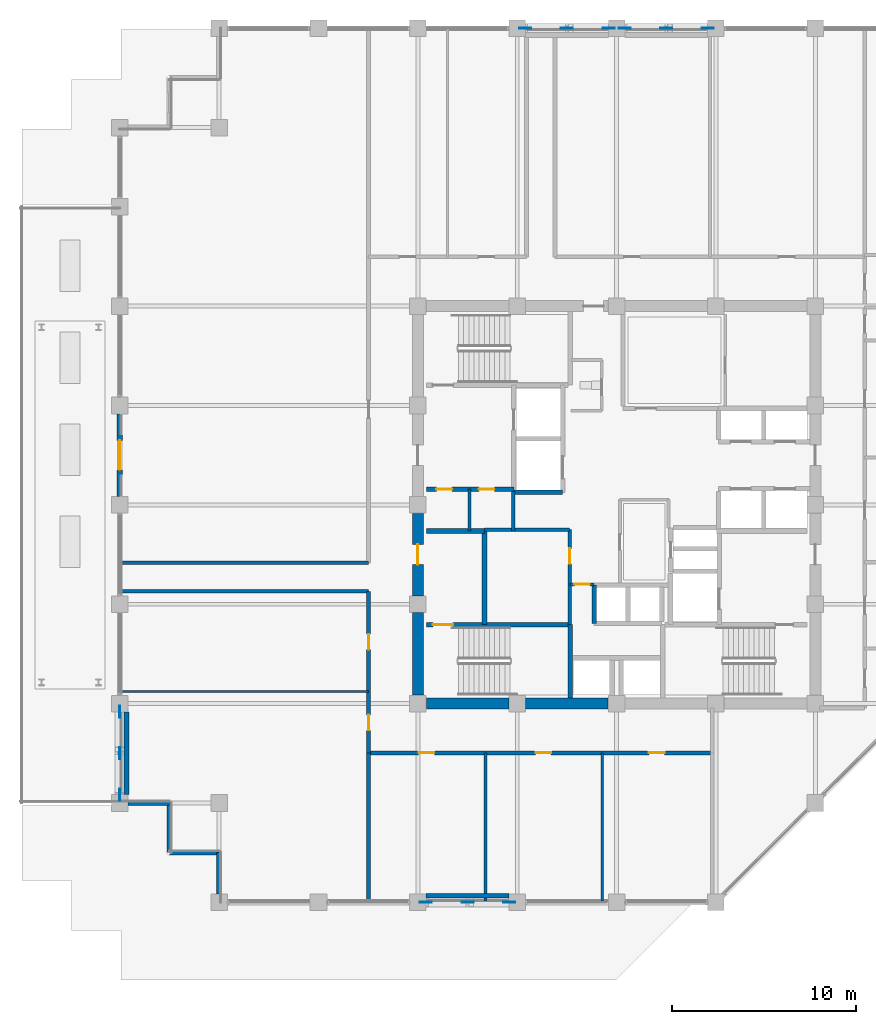
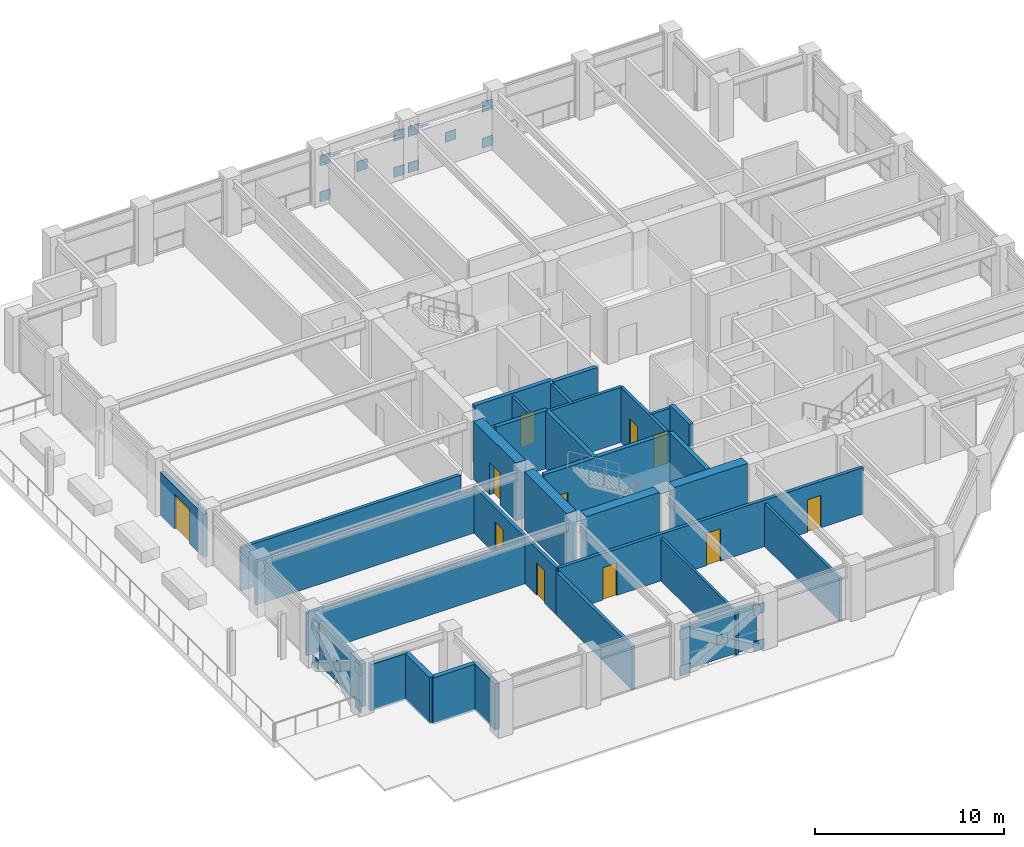
# One storey, part 25 of 36: 31 walls, 20 plates, 12 doors, 12 openings.
"""IFC4 building model written with IfcOpenShell, lengths in metres."""

from ifc_helpers import new_model, si_unit, direction, frame, frame_2d, origin, origin_2d, place, context, subcontext, project, spatial, rectangle, extrude, material, layer, layer_set, type_object, element, fill, save


model = new_model("IFC4")

# Units and contexts
model_context = context("Model", 3, precision=1e-05, world=origin(), true_north=direction((0.0, 1.0)))
body_context = subcontext(model_context, "Body", "Model", "MODEL_VIEW")
ifc_project = project(units=[si_unit("LENGTHUNIT", "METRE"), si_unit("AREAUNIT", "SQUARE_METRE"), si_unit("VOLUMEUNIT", "CUBIC_METRE"), si_unit("PLANEANGLEUNIT", "RADIAN"), si_unit("MASSUNIT", "GRAM", prefix="KILO")], contexts=[model_context])

# Site, building, storey
site_placement = place(None, origin())
site = spatial("IfcSite", under=ifc_project, at=site_placement, CompositionType="ELEMENT")
building_placement = place(site_placement, origin())
building = spatial("IfcBuilding", under=site, at=building_placement, Name="Surkhivell Harbour Commons", CompositionType="ELEMENT")
storey_placement = place(building_placement, frame((0.0, 0.0, 171.0)))
storey = spatial("IfcBuildingStorey", under=building, at=storey_placement, Name="L44", CompositionType="ELEMENT", Elevation=171.0)

# Plates
ifc_material_1 = material(Name="Steel S460", Category="steel")
ifc_layer_1 = layer(ifc_material_1, 0.044921875)
ifc_layer_set_1 = layer_set([ifc_layer_1], Name="Steel S460")
plate_type = type_object("IfcPlateType", Name="PLT-GUS-650", PredefinedType="USERDEFINED", material=ifc_layer_set_1)
for number, where, z_axis, x_axis, name in (
    (1, (-4.965087890625, 25.89990234375, -0.08935546875), (0.0, 0.0, 1.0), (1.0, 0.0, 0.0), "L44 Perimeter Mega-Brace MB- Corner Gusset N-1"),
    (2, (-0.43505859375, 25.89990234375, -0.08935546875), (0.0, 0.0, 1.0), (1.0, 0.0, 0.0), "L44 Perimeter Mega-Brace MB- Corner Gusset N-2"),
    (3, (-4.965087890625, 25.89990234375, 2.25146484375), (0.0, 0.0, 1.0), (1.0, 0.0, 0.0), "L44 Perimeter Mega-Brace MB- Corner Gusset N-3"),
    (4, (-0.43505859375, 25.89990234375, 2.25146484375), (0.0, 0.0, 1.0), (1.0, 0.0, 0.0), "L44 Perimeter Mega-Brace MB- Corner Gusset N-4"),
    (5, (-2.699951171875, 25.89990234375, 1.0810546875), (0.0, 0.0, 1.0), (1.0, 0.0, 0.0), "L44 Perimeter Mega-Brace MB- Central Crossing Gusset N"),
    (6, (0.43505859375, 25.89990234375, -0.08935546875), (0.0, 0.0, 1.0), (1.0, 0.0, 0.0), "L44 Perimeter Mega-Brace MB- Corner Gusset N2-1"),
    (7, (4.965087890625, 25.89990234375, -0.08935546875), (0.0, 0.0, 1.0), (1.0, 0.0, 0.0), "L44 Perimeter Mega-Brace MB- Corner Gusset N2-2"),
    (8, (0.43505859375, 25.89990234375, 2.25146484375), (0.0, 0.0, 1.0), (1.0, 0.0, 0.0), "L44 Perimeter Mega-Brace MB- Corner Gusset N2-3"),
    (9, (4.965087890625, 25.89990234375, 2.25146484375), (0.0, 0.0, 1.0), (1.0, 0.0, 0.0), "L44 Perimeter Mega-Brace MB- Corner Gusset N2-4"),
    (10, (2.699951171875, 25.89990234375, 1.0810546875), (0.0, 0.0, 1.0), (1.0, 0.0, 0.0), "L44 Perimeter Mega-Brace MB- Central Crossing Gusset N2"),
    (11, (-10.364990234375, -21.60009765625, -0.08935546875), (0.0, 0.0, 1.0), (1.0, 0.0, 0.0), "L44 Perimeter Mega-Brace MB- Corner Gusset S-1"),
    (12, (-5.8349609375, -21.60009765625, -0.08935546875), (0.0, 0.0, 1.0), (1.0, 0.0, 0.0), "L44 Perimeter Mega-Brace MB- Corner Gusset S-2"),
    (13, (-10.364990234375, -21.60009765625, 2.25146484375), (0.0, 0.0, 1.0), (1.0, 0.0, 0.0), "L44 Perimeter Mega-Brace MB- Corner Gusset S-3"),
    (14, (-5.8349609375, -21.60009765625, 2.25146484375), (0.0, 0.0, 1.0), (1.0, 0.0, 0.0), "L44 Perimeter Mega-Brace MB- Corner Gusset S-4"),
    (15, (-8.10009765625, -21.60009765625, 1.0810546875), (0.0, 0.0, 1.0), (1.0, 0.0, 0.0), "L44 Perimeter Mega-Brace MB- Central Crossing Gusset S"),
    (16, (-27.0, -15.764892578125, -0.08935546875), (0.0, 0.0, 1.0), (0.0, 1.0, 0.0), "L44 Perimeter Mega-Brace MB- Corner Gusset W-1"),
    (17, (-27.0, -11.235107421875, -0.08935546875), (0.0, 0.0, 1.0), (0.0, 1.0, 0.0), "L44 Perimeter Mega-Brace MB- Corner Gusset W-2"),
    (18, (-27.0, -15.764892578125, 2.25146484375), (0.0, 0.0, 1.0), (0.0, 1.0, 0.0), "L44 Perimeter Mega-Brace MB- Corner Gusset W-3"),
    (19, (-27.0, -11.235107421875, 2.25146484375), (0.0, 0.0, 1.0), (0.0, 1.0, 0.0), "L44 Perimeter Mega-Brace MB- Corner Gusset W-4"),
    (20, (-27.0, -13.5, 1.0810546875), (0.0, 0.0, 1.0), (0.0, 1.0, 0.0), "L44 Perimeter Mega-Brace MB- Central Crossing Gusset W"),
):
    element("IfcPlate", number, at=place(storey_placement, frame(where, z_axis=z_axis, x_axis=x_axis)), inside=storey, type_object=plate_type, Name=name, ObjectType="GUSSET_PLATE", PredefinedType="USERDEFINED", context=body_context, shape_type="SweptSolid", body=[
        extrude(rectangle(XDim=0.64990234375, YDim=0.044921875, at=origin_2d()), origin(), (0.0, 0.0, 1.0), 0.64990234375),
    ])

# Walls
ifc_material_2 = material(Name="Concrete C60/75", Category="concrete")
ifc_layer_2 = layer(ifc_material_2, 0.60009765625)
ifc_layer_set_2 = layer_set([ifc_layer_2], Name="Concrete C60/75")
wall_type_1 = type_object("IfcWallType", Name="WAL-CORE-600", PredefinedType="SHEAR", material=ifc_layer_set_2)
for number, where, z_axis, x_axis, name in (
    (21, (-10.340087890625, -10.800048828125, 0.0), (0.0, 0.0, 1.0), (1.0, 0.0, 0.0), "L44 Core Shear Wall South 1"),
    (22, (-10.800048828125, -10.340087890625, 0.0), (0.0, 0.0, 1.0), (0.0, 1.0, 0.0), "L44 Core Shear Wall West 1"),
    (23, (-4.93994140625, -10.800048828125, 0.0), (0.0, 0.0, 1.0), (1.0, 0.0, 0.0), "L44 Core Shear Wall South 2"),
):
    element("IfcWall", number, at=place(storey_placement, frame(where, z_axis=z_axis, x_axis=x_axis)), inside=storey, type_object=wall_type_1, Name=name, PredefinedType="SHEAR", context=body_context, shape_type="SweptSolid", body=[
        extrude(rectangle(XDim=4.47998046875, YDim=0.60009765625, at=frame_2d((2.239990234375, 0.0))), origin(), (0.0, 0.0, 1.0), 3.75),
    ])

# Wall, opening, door
wall_1_placement = place(storey_placement, frame((-10.800048828125, -4.93994140625, 0.0), z_axis=(0.0, 0.0, 1.0), x_axis=(0.0, 1.0, 0.0)))
wall_1 = element("IfcWall", 24, at=wall_1_placement, inside=storey, type_object=wall_type_1, Name="L44 Core Shear Wall West 2", PredefinedType="SHEAR", context=body_context, shape_type="SweptSolid", body=[
    extrude(rectangle(XDim=4.47998046875, YDim=0.60009765625, at=frame_2d((2.239990234375, 0.0))), origin(), (0.0, 0.0, 1.0), 3.75),
])
opening_1_placement = place(wall_1_placement, frame((1.68994140625, 0.0, 0.0)))
opening_1 = element("IfcOpeningElement", 25, at=opening_1_placement, cuts=wall_1, Name="Opening ID-2", PredefinedType="OPENING", context=body_context, shape_type="SweptSolid", body=[
    extrude(rectangle(XDim=1.10009765625, YDim=2.10009765625, at=frame_2d((0.550048828125, 1.050048828125))), frame((0.0, 0.31005859375, 0.0), z_axis=(0.0, -1.0, 0.0), x_axis=(1.0, 0.0, 0.0)), (0.0, 0.0, 1.0), 0.6201171875),
])
ifc_material_3 = material(Name="Hardwood-veneered fire-rated door leaf", Category="wood")
door_type_1 = type_object("IfcDoorType", Name="DOR-FD60-1100", OperationType="NOTDEFINED", PredefinedType="DOOR", material=ifc_material_3)
door_1_placement = place(opening_1_placement, origin())
door_1 = element("IfcDoor", 26, at=door_1_placement, inside=storey, type_object=door_type_1, Name="L44 Stair 3 Lobby Corridor Door", OperationType="SINGLE_SWING_LEFT", OverallHeight=2.10009765625, OverallWidth=1.10009765625, PredefinedType="DOOR", context=body_context, shape_type="SweptSolid", body=[
    extrude(rectangle(XDim=1.10009765625, YDim=2.10009765625, at=frame_2d((0.550048828125, 1.050048828125))), frame((0.0, 0.02490234375, 0.0), z_axis=(0.0, -1.0, 0.0), x_axis=(1.0, 0.0, 0.0)), (0.0, 0.0, 1.0), 0.050048828125),
])
fill(opening_1, door_1)

# Walls
ifc_material_4 = material(Name="Pale-metal insulated precast concrete C45/55", Category="concrete")
ifc_layer_3 = layer(ifc_material_4, 0.260009765625)
ifc_layer_set_3 = layer_set([ifc_layer_3], Name="Pale-metal insulated precast concrete C45/55")
wall_type_2 = type_object("IfcWallType", Name="WAL-EXT-MTL260", PredefinedType="STANDARD", material=ifc_layer_set_3)
wall_2_placement = place(storey_placement, frame((-10.35205078125, -21.239990234375, 0.0), z_axis=(0.0, 0.0, 1.0), x_axis=(1.0, 0.0, 0.0)))
element("IfcWall", 27, at=wall_2_placement, inside=storey, type_object=wall_type_2, Name="L44 Braced-Bay Insulated Spandrel Backing S", PredefinedType="STANDARD", context=body_context, shape_type="SweptSolid", body=[
    extrude(rectangle(XDim=4.504150390625, YDim=0.260009765625, at=frame_2d((2.251953125, 0.0))), origin(), (0.0, 0.0, 1.0), 2.780029296875),
])
wall_3_placement = place(storey_placement, frame((-26.639892578125, -15.751953125, 0.0), z_axis=(0.0, 0.0, 1.0), x_axis=(0.0, 1.0, 0.0)))
element("IfcWall", 28, at=wall_3_placement, inside=storey, type_object=wall_type_2, Name="L44 Braced-Bay Insulated Spandrel Backing W", PredefinedType="STANDARD", context=body_context, shape_type="SweptSolid", body=[
    extrude(rectangle(XDim=4.50390625, YDim=0.260009765625, at=frame_2d((2.251953125, 0.0))), origin(), (0.0, 0.0, 1.0), 2.780029296875),
])

# Wall, opening, door
ifc_material_5 = material(Name="Terracotta-clad reinforced concrete C45/55", Category="masonry")
ifc_layer_4 = layer(ifc_material_5, 0.280029296875)
ifc_layer_set_4 = layer_set([ifc_layer_4], Name="Terracotta-clad reinforced concrete C45/55")
wall_type_3 = type_object("IfcWallType", Name="WAL-EXT-TER280", PredefinedType="STANDARD", material=ifc_layer_set_4)
wall_4_placement = place(storey_placement, frame((-27.0, 0.447998046875, 0.0), z_axis=(0.0, 0.0, 1.0), x_axis=(0.0, 1.0, 0.0)))
wall_4 = element("IfcWall", 29, at=wall_4_placement, inside=storey, type_object=wall_type_3, Name="L44 Sky-Garden Portal Wall", PredefinedType="STANDARD", context=body_context, shape_type="SweptSolid", body=[
    extrude(rectangle(XDim=4.50390625, YDim=0.280029296875, at=frame_2d((2.251953125, 0.0))), origin(), (0.0, 0.0, 1.0), 2.780029296875),
])
opening_2_placement = place(wall_4_placement, frame((1.451904296875, 0.0, 0.0)))
opening_2 = element("IfcOpeningElement", 30, at=opening_2_placement, cuts=wall_4, Name="Opening ED-3", PredefinedType="OPENING", context=body_context, shape_type="SweptSolid", body=[
    extrude(rectangle(XDim=1.60009765625, YDim=2.25, at=frame_2d((0.800048828125, 1.125))), frame((0.0, 0.14990234375, 0.0), z_axis=(0.0, -1.0, 0.0), x_axis=(1.0, 0.0, 0.0)), (0.0, 0.0, 1.0), 0.300048828125),
])
ifc_material_6 = material(Name="Anodised pale-metal aluminium and laminated safety glass", Category="aluminium")
door_type_2 = type_object("IfcDoorType", Name="DOR-EXT-TERR1600", OperationType="DOUBLE_DOOR_SINGLE_SWING", PredefinedType="DOOR", material=ifc_material_6)
door_2_placement = place(opening_2_placement, origin())
door_2 = element("IfcDoor", 31, at=door_2_placement, inside=storey, type_object=door_type_2, Name="L44 Sky-Garden Terrace Double Door", OperationType="DOUBLE_DOOR_SINGLE_SWING", OverallHeight=2.25, OverallWidth=1.60009765625, PredefinedType="DOOR", context=body_context, shape_type="SweptSolid", body=[
    extrude(rectangle(XDim=1.60009765625, YDim=2.25, at=frame_2d((0.800048828125, 1.125))), frame((0.0, 0.02490234375, 0.0), z_axis=(0.0, -1.0, 0.0), x_axis=(1.0, 0.0, 0.0)), (0.0, 0.0, 1.0), 0.050048828125),
])
fill(opening_2, door_2)

# Walls
wall_5_placement = place(storey_placement, frame((-26.552001953125, -16.199951171875, 0.0), z_axis=(0.0, 0.0, 1.0), x_axis=(1.0, 0.0, 0.0)))
element("IfcWall", 32, at=wall_5_placement, inside=storey, type_object=wall_type_3, Name="L44 Serrated Corner Facade Wall 13", PredefinedType="STANDARD", context=body_context, shape_type="SweptSolid", body=[
    extrude(rectangle(XDim=2.251953125, YDim=0.280029296875, at=frame_2d((1.1259765625, 0.0))), origin(), (0.0, 0.0, 1.0), 3.006103515625),
])
for number, where, z_axis, x_axis, name in (
    (33, (-24.300048828125, -16.199951171875, 0.0), (0.0, 0.0, 1.0), (0.0, -1.0, 0.0), "L44 Serrated Corner Facade Wall 14"),
    (34, (-24.300048828125, -18.89990234375, 0.0), (0.0, 0.0, 1.0), (1.0, 0.0, 0.0), "L44 Serrated Corner Facade Wall 15"),
):
    element("IfcWall", number, at=place(storey_placement, frame(where, z_axis=z_axis, x_axis=x_axis)), inside=storey, type_object=wall_type_3, Name=name, PredefinedType="STANDARD", context=body_context, shape_type="SweptSolid", body=[
        extrude(rectangle(XDim=2.699951171875, YDim=0.280029296875, at=frame_2d((1.35009765625, 0.0))), origin(), (0.0, 0.0, 1.0), 3.006103515625),
    ])
wall_6_placement = place(storey_placement, frame((-21.60009765625, -18.89990234375, 0.0), z_axis=(0.0, 0.0, 1.0), x_axis=(0.0, -1.0, 0.0)))
element("IfcWall", 35, at=wall_6_placement, inside=storey, type_object=wall_type_3, Name="L44 Serrated Corner Facade Wall 16", PredefinedType="STANDARD", context=body_context, shape_type="SweptSolid", body=[
    extrude(rectangle(XDim=2.252197265625, YDim=0.280029296875, at=frame_2d((1.1259765625, 0.0))), origin(), (0.0, 0.0, 1.0), 3.006103515625),
])
ifc_material_7 = material(Name="Moisture-resistant acoustic stud partition", Category="other")
ifc_layer_5 = layer(ifc_material_7, 0.125)
ifc_layer_set_5 = layer_set([ifc_layer_5], Name="Moisture-resistant acoustic stud partition")
wall_type_4 = type_object("IfcWallType", Name="WAL-INT-125", PredefinedType="PARTITIONING", material=ifc_layer_set_5)
wall_7_placement = place(storey_placement, frame((-26.93994140625, -10.139892578125, 0.0), z_axis=(0.0, 0.0, 1.0), x_axis=(1.0, 0.0, 0.0)))
element("IfcWall", 36, at=wall_7_placement, inside=storey, type_object=wall_type_4, Name="L44 South-West Partition P1", PredefinedType="PARTITIONING", context=body_context, shape_type="SweptSolid", body=[
    extrude(rectangle(XDim=13.4599609375, YDim=0.125, at=frame_2d((6.72998046875, 0.0))), origin(), (0.0, 0.0, 1.0), 2.780029296875),
])
ifc_material_8 = material(Name="Twin-stud acoustic fireboard partition", Category="other")
ifc_layer_6 = layer(ifc_material_8, 0.14990234375)
ifc_layer_set_6 = layer_set([ifc_layer_6], Name="Twin-stud acoustic fireboard partition")
wall_type_5 = type_object("IfcWallType", Name="WAL-INT-150", PredefinedType="PARTITIONING", material=ifc_layer_set_6)
wall_8_placement = place(storey_placement, frame((-8.0, -1.419921875, 0.0), z_axis=(0.0, 0.0, 1.0), x_axis=(0.0, 1.0, 0.0)))
element("IfcWall", 37, at=wall_8_placement, inside=storey, type_object=wall_type_5, Name="L44 West Core Cut D1", PredefinedType="PARTITIONING", context=body_context, shape_type="SweptSolid", body=[
    extrude(rectangle(XDim=2.27001953125, YDim=0.14990234375, at=frame_2d((1.135009765625, 0.0))), origin(), (0.0, 0.0, 1.0), 3.570068359375),
])
for number, where, z_axis, x_axis, name in (
    (38, (-7.1298828125, -21.5400390625, 0.0), (0.0, 0.0, 1.0), (0.0, 1.0, 0.0), "L44 South Partition P1"),
    (39, (-0.780029296875, -21.5400390625, 0.0), (0.0, 0.0, 1.0), (0.0, 1.0, 0.0), "L44 South Partition P2"),
):
    element("IfcWall", number, at=place(storey_placement, frame(where, z_axis=z_axis, x_axis=x_axis)), inside=storey, type_object=wall_type_5, Name=name, PredefinedType="PARTITIONING", context=body_context, shape_type="SweptSolid", body=[
        extrude(rectangle(XDim=8.06005859375, YDim=0.14990234375, at=frame_2d((4.030029296875, 0.0))), origin(), (0.0, 0.0, 1.0), 2.780029296875),
    ])

# Wall, opening, door
ifc_material_9 = material(Name="High-density acoustic blockwork fire partition", Category="masonry")
ifc_layer_7 = layer(ifc_material_9, 0.175048828125)
ifc_layer_set_7 = layer_set([ifc_layer_7], Name="High-density acoustic blockwork fire partition")
wall_type_6 = type_object("IfcWallType", Name="WAL-INT-175", PredefinedType="PARTITIONING", material=ifc_layer_set_7)
wall_9_placement = place(storey_placement, frame((-2.550048828125, -6.510009765625, 0.0), z_axis=(0.0, 0.0, 1.0), x_axis=(0.0, 1.0, 0.0)))
wall_9 = element("IfcWall", 40, at=wall_9_placement, inside=storey, type_object=wall_type_6, Name="L44 Core Service Bay East Wall", PredefinedType="PARTITIONING", context=body_context, shape_type="SweptSolid", body=[
    extrude(rectangle(XDim=5.159912109375, YDim=0.175048828125, at=frame_2d((2.580078125, 0.0))), origin(), (0.0, 0.0, 1.0), 3.570068359375),
])
opening_3_placement = place(wall_9_placement, frame((3.300048828125, 0.0, 0.0)))
opening_3 = element("IfcOpeningElement", 41, at=opening_3_placement, cuts=wall_9, Name="Opening ID-6", PredefinedType="OPENING", context=body_context, shape_type="SweptSolid", body=[
    extrude(rectangle(XDim=0.85009765625, YDim=2.10009765625, at=frame_2d((0.425048828125, 1.050048828125))), frame((0.0, 0.097412109375, 0.0), z_axis=(0.0, -1.0, 0.0), x_axis=(1.0, 0.0, 0.0)), (0.0, 0.0, 1.0), 0.195068359375),
])
door_type_3 = type_object("IfcDoorType", Name="DOR-FD30-850", OperationType="NOTDEFINED", PredefinedType="DOOR", material=ifc_material_3)
door_3_placement = place(opening_3_placement, origin())
door_3 = element("IfcDoor", 42, at=door_3_placement, inside=storey, type_object=door_type_3, Name="L44 Core Quiet Reading Door", OperationType="SINGLE_SWING_RIGHT", OverallHeight=2.10009765625, OverallWidth=0.85009765625, PredefinedType="DOOR", context=body_context, shape_type="SweptSolid", body=[
    extrude(rectangle(XDim=0.85009765625, YDim=2.10009765625, at=frame_2d((0.425048828125, 1.050048828125))), frame((0.0, 0.02490234375, 0.0), z_axis=(0.0, -1.0, 0.0), x_axis=(1.0, 0.0, 0.0)), (0.0, 0.0, 1.0), 0.050048828125),
])
fill(opening_3, door_3)

# Walls
wall_10_placement = place(storey_placement, frame((-7.179931640625, -1.35009765625, 0.0), z_axis=(0.0, 0.0, 1.0), x_axis=(1.0, 0.0, 0.0)))
element("IfcWall", 43, at=wall_10_placement, inside=storey, type_object=wall_type_6, Name="L44 Core Service Bay North Wall", PredefinedType="PARTITIONING", context=body_context, shape_type="SweptSolid", body=[
    extrude(rectangle(XDim=4.6298828125, YDim=0.175048828125, at=frame_2d((2.31494140625, 0.0))), origin(), (0.0, 0.0, 1.0), 3.570068359375),
])
wall_11_placement = place(storey_placement, frame((-5.6201171875, -1.419921875, 0.0), z_axis=(0.0, 0.0, 1.0), x_axis=(0.0, 1.0, 0.0)))
element("IfcWall", 44, at=wall_11_placement, inside=storey, type_object=wall_type_6, Name="L44 West Core Bay East Wall", PredefinedType="PARTITIONING", context=body_context, shape_type="SweptSolid", body=[
    extrude(rectangle(XDim=2.139892578125, YDim=0.175048828125, at=frame_2d((1.06982421875, 0.0))), origin(), (0.0, 0.0, 1.0), 3.570068359375),
])

# Wall, opening, door
wall_12_placement = place(storey_placement, frame((-2.52001953125, -4.320068359375, 0.0), z_axis=(0.0, 0.0, 1.0), x_axis=(1.0, 0.0, 0.0)))
wall_12 = element("IfcWall", 45, at=wall_12_placement, inside=storey, type_object=wall_type_6, Name="L44 High-Rise Lobby North Portal Wall", PredefinedType="PARTITIONING", context=body_context, shape_type="SweptSolid", body=[
    extrude(rectangle(XDim=1.300048828125, YDim=0.175048828125, at=frame_2d((0.64990234375, 0.0))), origin(), (0.0, 0.0, 1.0), 3.570068359375),
])
opening_4_placement = place(wall_12_placement, frame((0.219970703125, 0.0, 0.0)))
opening_4 = element("IfcOpeningElement", 46, at=opening_4_placement, cuts=wall_12, Name="Opening ID-6", PredefinedType="OPENING", context=body_context, shape_type="SweptSolid", body=[
    extrude(rectangle(XDim=0.85009765625, YDim=2.10009765625, at=frame_2d((0.425048828125, 1.050048828125))), frame((0.0, 0.097412109375, 0.0), z_axis=(0.0, -1.0, 0.0), x_axis=(1.0, 0.0, 0.0)), (0.0, 0.0, 1.0), 0.195068359375),
])
door_4_placement = place(opening_4_placement, origin())
door_4 = element("IfcDoor", 47, at=door_4_placement, inside=storey, type_object=door_type_3, Name="L44 High-Rise Lift Lobby North Door", OperationType="SINGLE_SWING_LEFT", OverallHeight=2.10009765625, OverallWidth=0.85009765625, PredefinedType="DOOR", context=body_context, shape_type="SweptSolid", body=[
    extrude(rectangle(XDim=0.85009765625, YDim=2.10009765625, at=frame_2d((0.425048828125, 1.050048828125))), frame((0.0, 0.02490234375, 0.0), z_axis=(0.0, -1.0, 0.0), x_axis=(1.0, 0.0, 0.0)), (0.0, 0.0, 1.0), 0.050048828125),
])
fill(opening_4, door_4)

# Wall
ifc_material_10 = material(Name="Autoclaved aerated concrete blockwork and fire plaster", Category="masonry")
ifc_layer_8 = layer(ifc_material_10, 0.199951171875)
ifc_layer_set_8 = layer_set([ifc_layer_8], Name="Autoclaved aerated concrete blockwork and fire plaster")
wall_type_7 = type_object("IfcWallType", Name="WAL-INT-200", PredefinedType="PARTITIONING", material=ifc_layer_set_8)
wall_13_placement = place(storey_placement, frame((-13.47998046875, -21.5400390625, 0.0), z_axis=(0.0, 0.0, 1.0), x_axis=(0.0, 1.0, 0.0)))
element("IfcWall", 48, at=wall_13_placement, inside=storey, type_object=wall_type_7, Name="L44 South-West Corner Wall", PredefinedType="PARTITIONING", context=body_context, shape_type="SweptSolid", body=[
    extrude(rectangle(XDim=8.06005859375, YDim=0.199951171875, at=frame_2d((4.030029296875, 0.0))), origin(), (0.0, 0.0, 1.0), 2.780029296875),
])

# Wall, openings, doors
wall_14_placement = place(storey_placement, frame((-13.47998046875, -13.47998046875, 0.0), z_axis=(0.0, 0.0, 1.0), x_axis=(1.0, 0.0, 0.0)))
wall_14 = element("IfcWall", 49, at=wall_14_placement, inside=storey, type_object=wall_type_7, Name="L44 Corridor South Wall", PredefinedType="PARTITIONING", context=body_context, shape_type="SweptSolid", body=[
    extrude(rectangle(XDim=18.679931640625, YDim=0.199951171875, at=frame_2d((9.33984375, 0.0))), origin(), (0.0, 0.0, 1.0), 3.006103515625),
])
opening_5_placement = place(wall_14_placement, frame((2.72509765625, 0.0, 0.0)))
opening_5 = element("IfcOpeningElement", 50, at=opening_5_placement, cuts=wall_14, Name="Opening ID-6", PredefinedType="OPENING", context=body_context, shape_type="SweptSolid", body=[
    extrude(rectangle(XDim=0.85009765625, YDim=2.10009765625, at=frame_2d((0.425048828125, 1.050048828125))), frame((0.0, 0.10986328125, 0.0), z_axis=(0.0, -1.0, 0.0), x_axis=(1.0, 0.0, 0.0)), (0.0, 0.0, 1.0), 0.219970703125),
])
opening_6_placement = place(wall_14_placement, frame((9.074951171875, 0.0, 0.0)))
opening_6 = element("IfcOpeningElement", 51, at=opening_6_placement, cuts=wall_14, Name="Opening ID-6", PredefinedType="OPENING", context=body_context, shape_type="SweptSolid", body=[
    extrude(rectangle(XDim=0.85009765625, YDim=2.10009765625, at=frame_2d((0.425048828125, 1.050048828125))), frame((0.0, 0.10986328125, 0.0), z_axis=(0.0, -1.0, 0.0), x_axis=(1.0, 0.0, 0.0)), (0.0, 0.0, 1.0), 0.219970703125),
])
opening_7_placement = place(wall_14_placement, frame((15.239990234375, 0.0, 0.0)))
opening_7 = element("IfcOpeningElement", 52, at=opening_7_placement, cuts=wall_14, Name="Opening ID-6", PredefinedType="OPENING", context=body_context, shape_type="SweptSolid", body=[
    extrude(rectangle(XDim=0.85009765625, YDim=2.10009765625, at=frame_2d((0.425048828125, 1.050048828125))), frame((0.0, 0.10986328125, 0.0), z_axis=(0.0, -1.0, 0.0), x_axis=(1.0, 0.0, 0.0)), (0.0, 0.0, 1.0), 0.219970703125),
])
door_5_placement = place(opening_5_placement, origin())
door_5 = element("IfcDoor", 53, at=door_5_placement, inside=storey, type_object=door_type_3, Name="L44 Academic Seminar Room 1 South Door", OperationType="SINGLE_SWING_RIGHT", OverallHeight=2.10009765625, OverallWidth=0.85009765625, PredefinedType="DOOR", context=body_context, shape_type="SweptSolid", body=[
    extrude(rectangle(XDim=0.85009765625, YDim=2.10009765625, at=frame_2d((0.425048828125, 1.050048828125))), frame((0.0, 0.02490234375, 0.0), z_axis=(0.0, -1.0, 0.0), x_axis=(1.0, 0.0, 0.0)), (0.0, 0.0, 1.0), 0.050048828125),
])
fill(opening_5, door_5)
door_6_placement = place(opening_6_placement, origin())
door_6 = element("IfcDoor", 54, at=door_6_placement, inside=storey, type_object=door_type_3, Name="L44 Academic Seminar Room 2 South Door", OperationType="SINGLE_SWING_LEFT", OverallHeight=2.10009765625, OverallWidth=0.85009765625, PredefinedType="DOOR", context=body_context, shape_type="SweptSolid", body=[
    extrude(rectangle(XDim=0.85009765625, YDim=2.10009765625, at=frame_2d((0.425048828125, 1.050048828125))), frame((0.0, 0.02490234375, 0.0), z_axis=(0.0, -1.0, 0.0), x_axis=(1.0, 0.0, 0.0)), (0.0, 0.0, 1.0), 0.050048828125),
])
fill(opening_6, door_6)
door_7_placement = place(opening_7_placement, origin())
door_7 = element("IfcDoor", 55, at=door_7_placement, inside=storey, type_object=door_type_3, Name="L44 Academic Seminar Room 3 South Door", OperationType="SINGLE_SWING_RIGHT", OverallHeight=2.10009765625, OverallWidth=0.85009765625, PredefinedType="DOOR", context=body_context, shape_type="SweptSolid", body=[
    extrude(rectangle(XDim=0.85009765625, YDim=2.10009765625, at=frame_2d((0.425048828125, 1.050048828125))), frame((0.0, 0.02490234375, 0.0), z_axis=(0.0, -1.0, 0.0), x_axis=(1.0, 0.0, 0.0)), (0.0, 0.0, 1.0), 0.050048828125),
])
fill(opening_7, door_7)

# Walls
for number, where, z_axis, x_axis, name in (
    (56, (-26.93994140625, -3.14990234375, 0.0), (0.0, 0.0, 1.0), (1.0, 0.0, 0.0), "L44 West Spur North Wall"),
    (57, (-26.93994140625, -4.699951171875, 0.0), (0.0, 0.0, 1.0), (1.0, 0.0, 0.0), "L44 West Spur South Wall"),
):
    element("IfcWall", number, at=place(storey_placement, frame(where, z_axis=z_axis, x_axis=x_axis)), inside=storey, type_object=wall_type_7, Name=name, PredefinedType="PARTITIONING", context=body_context, shape_type="SweptSolid", body=[
        extrude(rectangle(XDim=13.4599609375, YDim=0.199951171875, at=frame_2d((6.72998046875, 0.0))), origin(), (0.0, 0.0, 1.0), 2.780029296875),
    ])

# Wall, openings, doors
wall_15_placement = place(storey_placement, frame((-13.47998046875, -13.47998046875, 0.0), z_axis=(0.0, 0.0, 1.0), x_axis=(0.0, 1.0, 0.0)))
wall_15 = element("IfcWall", 58, at=wall_15_placement, inside=storey, type_object=wall_type_7, Name="L44 Corridor West-Lower Wall", PredefinedType="PARTITIONING", context=body_context, shape_type="SweptSolid", body=[
    extrude(rectangle(XDim=8.780029296875, YDim=0.199951171875, at=frame_2d((4.39013671875, 0.0))), origin(), (0.0, 0.0, 1.0), 3.006103515625),
])
opening_8_placement = place(wall_15_placement, frame((1.219970703125, 0.0, 0.0)))
opening_8 = element("IfcOpeningElement", 59, at=opening_8_placement, cuts=wall_15, Name="Opening ID-6", PredefinedType="OPENING", context=body_context, shape_type="SweptSolid", body=[
    extrude(rectangle(XDim=0.85009765625, YDim=2.10009765625, at=frame_2d((0.425048828125, 1.050048828125))), frame((0.0, 0.10986328125, 0.0), z_axis=(0.0, -1.0, 0.0), x_axis=(1.0, 0.0, 0.0)), (0.0, 0.0, 1.0), 0.219970703125),
])
opening_9_placement = place(wall_15_placement, frame((5.610107421875, 0.0, 0.0)))
opening_9 = element("IfcOpeningElement", 60, at=opening_9_placement, cuts=wall_15, Name="Opening ID-6", PredefinedType="OPENING", context=body_context, shape_type="SweptSolid", body=[
    extrude(rectangle(XDim=0.85009765625, YDim=2.10009765625, at=frame_2d((0.425048828125, 1.050048828125))), frame((0.0, 0.10986328125, 0.0), z_axis=(0.0, -1.0, 0.0), x_axis=(1.0, 0.0, 0.0)), (0.0, 0.0, 1.0), 0.219970703125),
])
door_8_placement = place(opening_8_placement, origin())
door_8 = element("IfcDoor", 61, at=door_8_placement, inside=storey, type_object=door_type_3, Name="L44 Harbour Reading Library South-West Door", OperationType="SINGLE_SWING_RIGHT", OverallHeight=2.10009765625, OverallWidth=0.85009765625, PredefinedType="DOOR", context=body_context, shape_type="SweptSolid", body=[
    extrude(rectangle(XDim=0.85009765625, YDim=2.10009765625, at=frame_2d((0.425048828125, 1.050048828125))), frame((0.0, 0.02490234375, 0.0), z_axis=(0.0, -1.0, 0.0), x_axis=(1.0, 0.0, 0.0)), (0.0, 0.0, 1.0), 0.050048828125),
])
fill(opening_8, door_8)
door_9_placement = place(opening_9_placement, origin())
door_9 = element("IfcDoor", 62, at=door_9_placement, inside=storey, type_object=door_type_3, Name="L44 Communal Dining Hall South-West Door", OperationType="SINGLE_SWING_LEFT", OverallHeight=2.10009765625, OverallWidth=0.85009765625, PredefinedType="DOOR", context=body_context, shape_type="SweptSolid", body=[
    extrude(rectangle(XDim=0.85009765625, YDim=2.10009765625, at=frame_2d((0.425048828125, 1.050048828125))), frame((0.0, 0.02490234375, 0.0), z_axis=(0.0, -1.0, 0.0), x_axis=(1.0, 0.0, 0.0)), (0.0, 0.0, 1.0), 0.050048828125),
])
fill(opening_9, door_9)

ifc_material_11 = material(Name="Concrete C50/60", Category="concrete")
ifc_layer_9 = layer(ifc_material_11, 0.25)
ifc_layer_set_9 = layer_set([ifc_layer_9], Name="Concrete C50/60")
wall_type_8 = type_object("IfcWallType", Name="WAL-SHAFT-250", PredefinedType="SHEAR", material=ifc_layer_set_9)
wall_16_placement = place(storey_placement, frame((-10.340087890625, 0.85009765625, 0.0), z_axis=(0.0, 0.0, 1.0), x_axis=(1.0, 0.0, 0.0)))
wall_16 = element("IfcWall", 63, at=wall_16_placement, inside=storey, type_object=wall_type_8, Name="L44 Firefighting Lobby 1 South Wall", PredefinedType="SHEAR", context=body_context, shape_type="SweptSolid", body=[
    extrude(rectangle(XDim=4.760009765625, YDim=0.25, at=frame_2d((2.3798828125, 0.0))), origin(), (0.0, 0.0, 1.0), 3.75),
])
opening_10_placement = place(wall_16_placement, frame((0.550048828125, 0.0, 0.0)))
opening_10 = element("IfcOpeningElement", 64, at=opening_10_placement, cuts=wall_16, Name="Opening ID-6", PredefinedType="OPENING", context=body_context, shape_type="SweptSolid", body=[
    extrude(rectangle(XDim=0.85009765625, YDim=2.10009765625, at=frame_2d((0.425048828125, 1.050048828125))), frame((0.0, 0.135009765625, 0.0), z_axis=(0.0, -1.0, 0.0), x_axis=(1.0, 0.0, 0.0)), (0.0, 0.0, 1.0), 0.27001953125),
])
opening_11_placement = place(wall_16_placement, frame((2.85009765625, 0.0, 0.0)))
opening_11 = element("IfcOpeningElement", 65, at=opening_11_placement, cuts=wall_16, Name="Opening ID-6", PredefinedType="OPENING", context=body_context, shape_type="SweptSolid", body=[
    extrude(rectangle(XDim=0.85009765625, YDim=2.10009765625, at=frame_2d((0.425048828125, 1.050048828125))), frame((0.0, 0.135009765625, 0.0), z_axis=(0.0, -1.0, 0.0), x_axis=(1.0, 0.0, 0.0)), (0.0, 0.0, 1.0), 0.27001953125),
])
door_10_placement = place(opening_10_placement, origin())
door_10 = element("IfcDoor", 66, at=door_10_placement, inside=storey, type_object=door_type_3, Name="L44 West Seminar Pod Door", OperationType="SINGLE_SWING_LEFT", OverallHeight=2.10009765625, OverallWidth=0.85009765625, PredefinedType="DOOR", context=body_context, shape_type="SweptSolid", body=[
    extrude(rectangle(XDim=0.85009765625, YDim=2.10009765625, at=frame_2d((0.425048828125, 1.050048828125))), frame((0.0, 0.02490234375, 0.0), z_axis=(0.0, -1.0, 0.0), x_axis=(1.0, 0.0, 0.0)), (0.0, 0.0, 1.0), 0.050048828125),
])
fill(opening_10, door_10)
door_11_placement = place(opening_11_placement, origin())
door_11 = element("IfcDoor", 67, at=door_11_placement, inside=storey, type_object=door_type_3, Name="L44 West Reading Pod Door", OperationType="SINGLE_SWING_RIGHT", OverallHeight=2.10009765625, OverallWidth=0.85009765625, PredefinedType="DOOR", context=body_context, shape_type="SweptSolid", body=[
    extrude(rectangle(XDim=0.85009765625, YDim=2.10009765625, at=frame_2d((0.425048828125, 1.050048828125))), frame((0.0, 0.02490234375, 0.0), z_axis=(0.0, -1.0, 0.0), x_axis=(1.0, 0.0, 0.0)), (0.0, 0.0, 1.0), 0.050048828125),
])
fill(opening_11, door_11)

# Walls
wall_17_placement = place(storey_placement, frame((-1.219970703125, -6.43994140625, 0.0), z_axis=(0.0, 0.0, 1.0), x_axis=(0.0, 1.0, 0.0)))
element("IfcWall", 68, at=wall_17_placement, inside=storey, type_object=wall_type_8, Name="L44 High-Rise Passage East Shaft Wall", PredefinedType="SHEAR", context=body_context, shape_type="SweptSolid", body=[
    extrude(rectangle(XDim=2.079833984375, YDim=0.25, at=frame_2d((1.0400390625, 0.0))), origin(), (0.0, 0.0, 1.0), 3.75),
])
wall_18_placement = place(storey_placement, frame((-2.510009765625, -10.5, 0.0), z_axis=(0.0, 0.0, 1.0), x_axis=(0.0, 1.0, 0.0)))
element("IfcWall", 69, at=wall_18_placement, inside=storey, type_object=wall_type_8, Name="L44 Stair ST3 East Shear Wall", PredefinedType="SHEAR", context=body_context, shape_type="SweptSolid", body=[
    extrude(rectangle(XDim=3.989990234375, YDim=0.25, at=frame_2d((1.9951171875, 0.0))), origin(), (0.0, 0.0, 1.0), 3.75),
])
wall_19_placement = place(storey_placement, frame((-7.179931640625, -6.510009765625, 0.0), z_axis=(0.0, 0.0, 1.0), x_axis=(0.0, 1.0, 0.0)))
element("IfcWall", 70, at=wall_19_placement, inside=storey, type_object=wall_type_8, Name="L44 Stair 3 Lobby East Wall", PredefinedType="SHEAR", context=body_context, shape_type="SweptSolid", body=[
    extrude(rectangle(XDim=5.090087890625, YDim=0.25, at=frame_2d((2.544921875, 0.0))), origin(), (0.0, 0.0, 1.0), 3.75),
])
wall_20_placement = place(storey_placement, frame((-10.340087890625, -1.419921875, 0.0), z_axis=(0.0, 0.0, 1.0), x_axis=(1.0, 0.0, 0.0)))
element("IfcWall", 71, at=wall_20_placement, inside=storey, type_object=wall_type_8, Name="L44 Stair 3 Lobby North Wall", PredefinedType="SHEAR", context=body_context, shape_type="SweptSolid", body=[
    extrude(rectangle(XDim=3.16015625, YDim=0.25, at=frame_2d((1.580078125, 0.0))), origin(), (0.0, 0.0, 1.0), 3.75),
])

# Wall, opening, door
wall_21_placement = place(storey_placement, frame((-10.340087890625, -6.510009765625, 0.0), z_axis=(0.0, 0.0, 1.0), x_axis=(1.0, 0.0, 0.0)))
wall_21 = element("IfcWall", 72, at=wall_21_placement, inside=storey, type_object=wall_type_8, Name="L44 Stair ST3 North Shear Wall", PredefinedType="SHEAR", context=body_context, shape_type="SweptSolid", body=[
    extrude(rectangle(XDim=7.7001953125, YDim=0.25, at=frame_2d((3.85009765625, 0.0))), origin(), (0.0, 0.0, 1.0), 3.75),
])
opening_12_placement = place(wall_21_placement, frame((0.35009765625, 0.0, 0.0)))
opening_12 = element("IfcOpeningElement", 73, at=opening_12_placement, cuts=wall_21, Name="Opening ID-2", PredefinedType="OPENING", context=body_context, shape_type="SweptSolid", body=[
    extrude(rectangle(XDim=1.10009765625, YDim=2.10009765625, at=frame_2d((0.550048828125, 1.050048828125))), frame((0.0, 0.135009765625, 0.0), z_axis=(0.0, -1.0, 0.0), x_axis=(1.0, 0.0, 0.0)), (0.0, 0.0, 1.0), 0.27001953125),
])
door_12_placement = place(opening_12_placement, origin())
door_12 = element("IfcDoor", 74, at=door_12_placement, inside=storey, type_object=door_type_1, Name="L44 Stair ST3 Exit Door", OperationType="SINGLE_SWING_RIGHT", OverallHeight=2.10009765625, OverallWidth=1.10009765625, PredefinedType="DOOR", context=body_context, shape_type="SweptSolid", body=[
    extrude(rectangle(XDim=1.10009765625, YDim=2.10009765625, at=frame_2d((0.550048828125, 1.050048828125))), frame((0.0, 0.02490234375, 0.0), z_axis=(0.0, -1.0, 0.0), x_axis=(1.0, 0.0, 0.0)), (0.0, 0.0, 1.0), 0.050048828125),
])
fill(opening_12, door_12)

# Wall
wall_22_placement = place(storey_placement, frame((-5.580078125, 0.679931640625, 0.0), z_axis=(0.0, 0.0, 1.0), x_axis=(1.0, 0.0, 0.0)))
element("IfcWall", 75, at=wall_22_placement, inside=storey, type_object=wall_type_8, Name="L44 SVL1 South Shaft Wall", PredefinedType="SHEAR", context=body_context, shape_type="SweptSolid", body=[
    extrude(rectangle(XDim=2.650146484375, YDim=0.25, at=frame_2d((1.3251953125, 0.0))), origin(), (0.0, 0.0, 1.0), 3.75),
])

save(model, "model.ifc")
